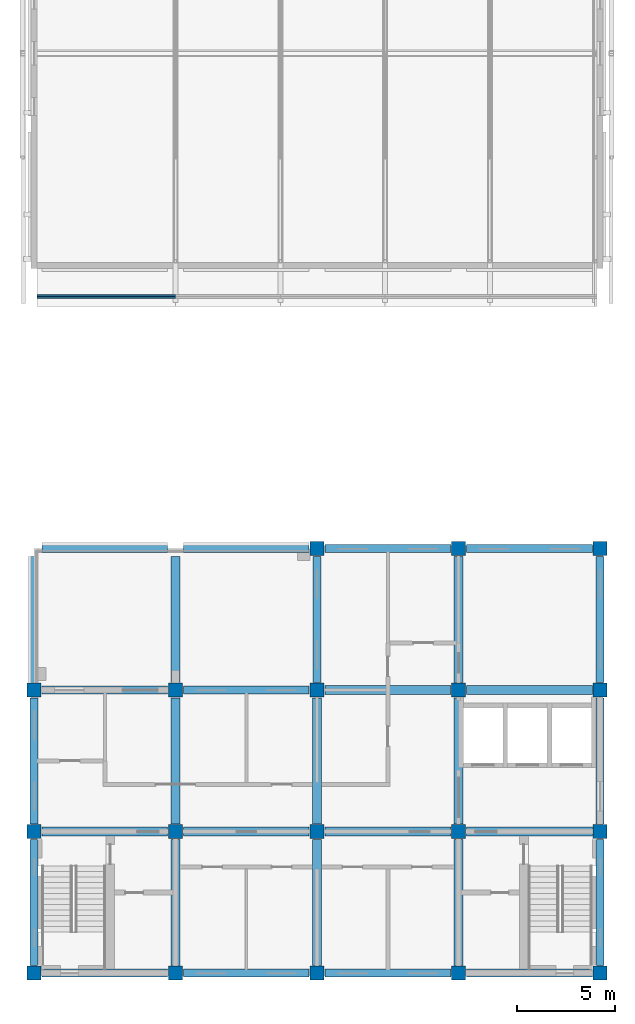
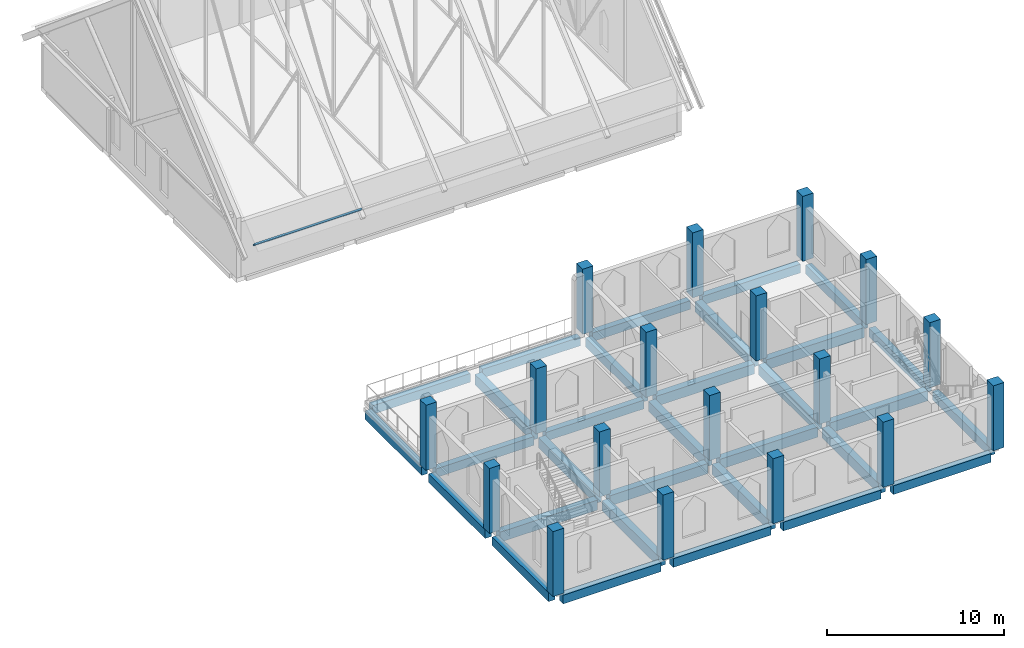
# One storey, part 1 of 29: 31 beams, 18 columns, 1 member.
"""IFC4 building model written with IfcOpenShell, lengths in metres."""

from ifc_helpers import new_model, si_unit, direction, frame, origin, origin_2d, place, context, subcontext, project, spatial, rectangle, i_section, extrude, material, material_profile, profile_set, type_object, element, save


model = new_model("IFC4")

# Units and contexts
model_context = context("Model", 3, precision=1e-05, world=origin(), true_north=direction((0.0, 1.0)))
body_context = subcontext(model_context, "Body", "Model", "MODEL_VIEW")
ifc_project = project(units=[si_unit("LENGTHUNIT", "METRE"), si_unit("AREAUNIT", "SQUARE_METRE"), si_unit("VOLUMEUNIT", "CUBIC_METRE"), si_unit("PLANEANGLEUNIT", "RADIAN"), si_unit("MASSUNIT", "GRAM", prefix="KILO")], contexts=[model_context])

# Site, building, storey
site_placement = place(None, origin())
site = spatial("IfcSite", under=ifc_project, at=site_placement, CompositionType="ELEMENT")
building_placement = place(site_placement, origin())
building = spatial("IfcBuilding", under=site, at=building_placement, Name="Silangan Lancet Faculty of Sciences", CompositionType="ELEMENT")
storey_placement = place(building_placement, frame((0.0, 0.0, 54.300048828125)))
storey = spatial("IfcBuildingStorey", under=building, at=storey_placement, Name="L11", CompositionType="ELEMENT", Elevation=54.300048828125)

# Columns
ifc_material_1 = material(Name="Concrete C40/50", Category="concrete")
ifc_material_profile_1 = material_profile(ifc_material_1, rectangle(XDim=0.699951171875, YDim=0.699951171875, at=origin_2d()), Name="RC 700x700")
ifc_profile_set_1 = profile_set([ifc_material_profile_1], Name="Concrete C40/50")
column_type = type_object("IfcColumnType", Name="COLUMN RC 700x700", PredefinedType="COLUMN", material=ifc_profile_set_1)
for number, where, z_axis, x_axis, name in (
    (1, (0.0, 0.0, 0.0), (0.0, 0.0, 1.0), (1.0, 0.0, 0.0), "COL-L11-1A"),
    (2, (0.0, 7.199951171875, 0.0), (0.0, 0.0, 1.0), (1.0, 0.0, 0.0), "COL-L11-1B"),
    (3, (0.0, 14.39990234375, 0.0), (0.0, 0.0, 1.0), (1.0, 0.0, 0.0), "COL-L11-1C"),
    (4, (7.199951171875, 0.0, 0.0), (0.0, 0.0, 1.0), (1.0, 0.0, 0.0), "COL-L11-2A"),
    (5, (7.199951171875, 7.199951171875, 0.0), (0.0, 0.0, 1.0), (1.0, 0.0, 0.0), "COL-L11-2B"),
    (6, (7.199951171875, 14.39990234375, 0.0), (0.0, 0.0, 1.0), (1.0, 0.0, 0.0), "COL-L11-2C"),
    (7, (14.39990234375, 0.0, 0.0), (0.0, 0.0, 1.0), (1.0, 0.0, 0.0), "COL-L11-3A"),
    (8, (14.39990234375, 7.199951171875, 0.0), (0.0, 0.0, 1.0), (1.0, 0.0, 0.0), "COL-L11-3B"),
    (9, (14.39990234375, 14.39990234375, 0.0), (0.0, 0.0, 1.0), (1.0, 0.0, 0.0), "COL-L11-3C"),
    (10, (14.39990234375, 21.60009765625, 0.0), (0.0, 0.0, 1.0), (1.0, 0.0, 0.0), "COL-L11-3D"),
    (11, (21.60009765625, 0.0, 0.0), (0.0, 0.0, 1.0), (1.0, 0.0, 0.0), "COL-L11-4A"),
    (12, (21.60009765625, 7.199951171875, 0.0), (0.0, 0.0, 1.0), (1.0, 0.0, 0.0), "COL-L11-4B"),
    (13, (21.60009765625, 14.39990234375, 0.0), (0.0, 0.0, 1.0), (1.0, 0.0, 0.0), "COL-L11-4C"),
    (14, (21.60009765625, 21.60009765625, 0.0), (0.0, 0.0, 1.0), (1.0, 0.0, 0.0), "COL-L11-4D"),
    (15, (28.800048828125, 0.0, 0.0), (0.0, 0.0, 1.0), (1.0, 0.0, 0.0), "COL-L11-5A"),
    (16, (28.800048828125, 7.199951171875, 0.0), (0.0, 0.0, 1.0), (1.0, 0.0, 0.0), "COL-L11-5B"),
    (17, (28.800048828125, 14.39990234375, 0.0), (0.0, 0.0, 1.0), (1.0, 0.0, 0.0), "COL-L11-5C"),
    (18, (28.800048828125, 21.60009765625, 0.0), (0.0, 0.0, 1.0), (1.0, 0.0, 0.0), "COL-L11-5D"),
):
    element("IfcColumn", number, at=place(storey_placement, frame(where, z_axis=z_axis, x_axis=x_axis)), inside=storey, type_object=column_type, Name=name, PredefinedType="COLUMN", context=body_context, shape_type="SweptSolid", body=[
        extrude(rectangle(XDim=0.699951171875, YDim=0.699951171875, at=origin_2d()), origin(), (0.0, 0.0, 1.0), 4.5),
    ])

# Beams
ifc_material_2 = material(Name="Concrete C40/50", Category="concrete")
ifc_material_profile_2 = material_profile(ifc_material_2, rectangle(XDim=0.39990234375, YDim=0.60009765625, at=origin_2d()), Name="RC 400x600")
ifc_profile_set_2 = profile_set([ifc_material_profile_2], Name="Concrete C40/50")
beam_type_1 = type_object("IfcBeamType", Name="BEAM RC 400x600", PredefinedType="BEAM", material=ifc_profile_set_2)
beam_1_placement = place(storey_placement, frame((0.39990234375, 0.0, -0.550048828125), z_axis=(1.0, 0.0, 0.0), x_axis=(0.0, 1.0, 0.0)))
element("IfcBeam", 19, at=beam_1_placement, inside=storey, type_object=beam_type_1, Name="BM-L11-1A-2A", PredefinedType="BEAM", context=body_context, shape_type="SweptSolid", body=[
    extrude(rectangle(XDim=0.39990234375, YDim=0.60009765625, at=origin_2d()), origin(), (0.0, 0.0, 1.0), 6.400146484375),
])
for number, where, z_axis, x_axis, name in (
    (20, (7.60009765625, 0.0, -0.550048828125), (1.0, 0.0, 0.0), (0.0, 1.0, 0.0), "BM-L11-2A-3A"),
    (21, (14.800048828125, 0.0, -0.550048828125), (1.0, 0.0, 0.0), (0.0, 1.0, 0.0), "BM-L11-3A-4A"),
    (22, (22.0, 0.0, -0.550048828125), (1.0, 0.0, 0.0), (0.0, 1.0, 0.0), "BM-L11-4A-5A"),
):
    element("IfcBeam", number, at=place(storey_placement, frame(where, z_axis=z_axis, x_axis=x_axis)), inside=storey, type_object=beam_type_1, Name=name, PredefinedType="BEAM", context=body_context, shape_type="SweptSolid", body=[
        extrude(rectangle(XDim=0.39990234375, YDim=0.60009765625, at=origin_2d()), origin(), (0.0, 0.0, 1.0), 6.39990234375),
    ])
beam_2_placement = place(storey_placement, frame((0.39990234375, 14.39990234375, -0.550048828125), z_axis=(1.0, 0.0, 0.0), x_axis=(0.0, 1.0, 0.0)))
element("IfcBeam", 23, at=beam_2_placement, inside=storey, type_object=beam_type_1, Name="BM-L11-1C-2C", PredefinedType="BEAM", context=body_context, shape_type="SweptSolid", body=[
    extrude(rectangle(XDim=0.39990234375, YDim=0.60009765625, at=origin_2d()), origin(), (0.0, 0.0, 1.0), 6.400146484375),
])
for number, where, z_axis, x_axis, name in (
    (24, (7.60009765625, 14.39990234375, -0.550048828125), (1.0, 0.0, 0.0), (0.0, 1.0, 0.0), "BM-L11-2C-3C"),
    (25, (14.800048828125, 21.60009765625, -0.550048828125), (1.0, 0.0, 0.0), (0.0, 1.0, 0.0), "BM-L11-3D-4D"),
    (26, (22.0, 21.60009765625, -0.550048828125), (1.0, 0.0, 0.0), (0.0, 1.0, 0.0), "BM-L11-4D-5D"),
):
    element("IfcBeam", number, at=place(storey_placement, frame(where, z_axis=z_axis, x_axis=x_axis)), inside=storey, type_object=beam_type_1, Name=name, PredefinedType="BEAM", context=body_context, shape_type="SweptSolid", body=[
        extrude(rectangle(XDim=0.39990234375, YDim=0.60009765625, at=origin_2d()), origin(), (0.0, 0.0, 1.0), 6.39990234375),
    ])
beam_3_placement = place(storey_placement, frame((0.0, 0.39990234375, -0.550048828125), z_axis=(0.0, 1.0, 0.0), x_axis=(-1.0, 0.0, 0.0)))
element("IfcBeam", 27, at=beam_3_placement, inside=storey, type_object=beam_type_1, Name="BM-L11-1A-1B", PredefinedType="BEAM", context=body_context, shape_type="SweptSolid", body=[
    extrude(rectangle(XDim=0.39990234375, YDim=0.60009765625, at=origin_2d()), origin(), (0.0, 0.0, 1.0), 6.400146484375),
])
for number, where, z_axis, x_axis, name in (
    (28, (0.0, 7.60009765625, -0.550048828125), (0.0, 1.0, 0.0), (-1.0, 0.0, 0.0), "BM-L11-1B-1C"),
    (29, (14.39990234375, 14.800048828125, -0.550048828125), (0.0, 1.0, 0.0), (-1.0, 0.0, 0.0), "BM-L11-3C-3D"),
):
    element("IfcBeam", number, at=place(storey_placement, frame(where, z_axis=z_axis, x_axis=x_axis)), inside=storey, type_object=beam_type_1, Name=name, PredefinedType="BEAM", context=body_context, shape_type="SweptSolid", body=[
        extrude(rectangle(XDim=0.39990234375, YDim=0.60009765625, at=origin_2d()), origin(), (0.0, 0.0, 1.0), 6.39990234375),
    ])
beam_4_placement = place(storey_placement, frame((28.800048828125, 0.39990234375, -0.550048828125), z_axis=(0.0, 1.0, 0.0), x_axis=(-1.0, 0.0, 0.0)))
element("IfcBeam", 30, at=beam_4_placement, inside=storey, type_object=beam_type_1, Name="BM-L11-5A-5B", PredefinedType="BEAM", context=body_context, shape_type="SweptSolid", body=[
    extrude(rectangle(XDim=0.39990234375, YDim=0.60009765625, at=origin_2d()), origin(), (0.0, 0.0, 1.0), 6.400146484375),
])
for number, where, z_axis, x_axis, name in (
    (31, (28.800048828125, 7.60009765625, -0.550048828125), (0.0, 1.0, 0.0), (-1.0, 0.0, 0.0), "BM-L11-5B-5C"),
    (32, (28.800048828125, 14.800048828125, -0.550048828125), (0.0, 1.0, 0.0), (-1.0, 0.0, 0.0), "BM-L11-5C-5D"),
):
    element("IfcBeam", number, at=place(storey_placement, frame(where, z_axis=z_axis, x_axis=x_axis)), inside=storey, type_object=beam_type_1, Name=name, PredefinedType="BEAM", context=body_context, shape_type="SweptSolid", body=[
        extrude(rectangle(XDim=0.39990234375, YDim=0.60009765625, at=origin_2d()), origin(), (0.0, 0.0, 1.0), 6.39990234375),
    ])
beam_5_placement = place(storey_placement, frame((0.39990234375, 21.60009765625, -0.550048828125), z_axis=(1.0, 0.0, 0.0), x_axis=(0.0, 1.0, 0.0)))
element("IfcBeam", 33, at=beam_5_placement, inside=storey, type_object=beam_type_1, Name="BM-ST-T1-L11-1D-2D", PredefinedType="BEAM", context=body_context, shape_type="SweptSolid", body=[
    extrude(rectangle(XDim=0.39990234375, YDim=0.60009765625, at=origin_2d()), origin(), (0.0, 0.0, 1.0), 6.400146484375),
])
for number, where, z_axis, x_axis, name in (
    (34, (7.60009765625, 21.60009765625, -0.550048828125), (1.0, 0.0, 0.0), (0.0, 1.0, 0.0), "BM-ST-T1-L11-2D-3D"),
    (35, (0.0, 14.800048828125, -0.550048828125), (0.0, 1.0, 0.0), (-1.0, 0.0, 0.0), "BM-ST-T1-L11-1C-1D"),
):
    element("IfcBeam", number, at=place(storey_placement, frame(where, z_axis=z_axis, x_axis=x_axis)), inside=storey, type_object=beam_type_1, Name=name, PredefinedType="BEAM", context=body_context, shape_type="SweptSolid", body=[
        extrude(rectangle(XDim=0.39990234375, YDim=0.60009765625, at=origin_2d()), origin(), (0.0, 0.0, 1.0), 6.39990234375),
    ])
ifc_material_3 = material(Name="Concrete C40/50", Category="concrete")
ifc_material_profile_3 = material_profile(ifc_material_3, rectangle(XDim=0.449951171875, YDim=0.699951171875, at=origin_2d()), Name="RC 450x700")
ifc_profile_set_3 = profile_set([ifc_material_profile_3], Name="Concrete C40/50")
beam_type_2 = type_object("IfcBeamType", Name="BEAM RC 450x700", PredefinedType="BEAM", material=ifc_profile_set_3)
beam_6_placement = place(storey_placement, frame((0.39990234375, 7.199951171875, -0.60009765625), z_axis=(1.0, 0.0, 0.0), x_axis=(0.0, 1.0, 0.0)))
element("IfcBeam", 36, at=beam_6_placement, inside=storey, type_object=beam_type_2, Name="BM-L11-1B-2B", PredefinedType="BEAM", context=body_context, shape_type="SweptSolid", body=[
    extrude(rectangle(XDim=0.449951171875, YDim=0.699951171875, at=origin_2d()), origin(), (0.0, 0.0, 1.0), 6.400146484375),
])
for number, where, z_axis, x_axis, name in (
    (37, (7.60009765625, 7.199951171875, -0.60009765625), (1.0, 0.0, 0.0), (0.0, 1.0, 0.0), "BM-L11-2B-3B"),
    (38, (14.800048828125, 7.199951171875, -0.60009765625), (1.0, 0.0, 0.0), (0.0, 1.0, 0.0), "BM-L11-3B-4B"),
    (39, (22.0, 7.199951171875, -0.60009765625), (1.0, 0.0, 0.0), (0.0, 1.0, 0.0), "BM-L11-4B-5B"),
    (40, (14.800048828125, 14.39990234375, -0.60009765625), (1.0, 0.0, 0.0), (0.0, 1.0, 0.0), "BM-L11-3C-4C"),
    (41, (22.0, 14.39990234375, -0.60009765625), (1.0, 0.0, 0.0), (0.0, 1.0, 0.0), "BM-L11-4C-5C"),
):
    element("IfcBeam", number, at=place(storey_placement, frame(where, z_axis=z_axis, x_axis=x_axis)), inside=storey, type_object=beam_type_2, Name=name, PredefinedType="BEAM", context=body_context, shape_type="SweptSolid", body=[
        extrude(rectangle(XDim=0.449951171875, YDim=0.699951171875, at=origin_2d()), origin(), (0.0, 0.0, 1.0), 6.39990234375),
    ])
beam_7_placement = place(storey_placement, frame((7.199951171875, 0.39990234375, -0.60009765625), z_axis=(0.0, 1.0, 0.0), x_axis=(-1.0, 0.0, 0.0)))
element("IfcBeam", 42, at=beam_7_placement, inside=storey, type_object=beam_type_2, Name="BM-L11-2A-2B", PredefinedType="BEAM", context=body_context, shape_type="SweptSolid", body=[
    extrude(rectangle(XDim=0.449951171875, YDim=0.699951171875, at=origin_2d()), origin(), (0.0, 0.0, 1.0), 6.400146484375),
])
beam_8_placement = place(storey_placement, frame((7.199951171875, 7.60009765625, -0.60009765625), z_axis=(0.0, 1.0, 0.0), x_axis=(-1.0, 0.0, 0.0)))
element("IfcBeam", 43, at=beam_8_placement, inside=storey, type_object=beam_type_2, Name="BM-L11-2B-2C", PredefinedType="BEAM", context=body_context, shape_type="SweptSolid", body=[
    extrude(rectangle(XDim=0.449951171875, YDim=0.699951171875, at=origin_2d()), origin(), (0.0, 0.0, 1.0), 6.39990234375),
])
beam_9_placement = place(storey_placement, frame((14.39990234375, 0.39990234375, -0.60009765625), z_axis=(0.0, 1.0, 0.0), x_axis=(-1.0, 0.0, 0.0)))
element("IfcBeam", 44, at=beam_9_placement, inside=storey, type_object=beam_type_2, Name="BM-L11-3A-3B", PredefinedType="BEAM", context=body_context, shape_type="SweptSolid", body=[
    extrude(rectangle(XDim=0.449951171875, YDim=0.699951171875, at=origin_2d()), origin(), (0.0, 0.0, 1.0), 6.400146484375),
])
beam_10_placement = place(storey_placement, frame((14.39990234375, 7.60009765625, -0.60009765625), z_axis=(0.0, 1.0, 0.0), x_axis=(-1.0, 0.0, 0.0)))
element("IfcBeam", 45, at=beam_10_placement, inside=storey, type_object=beam_type_2, Name="BM-L11-3B-3C", PredefinedType="BEAM", context=body_context, shape_type="SweptSolid", body=[
    extrude(rectangle(XDim=0.449951171875, YDim=0.699951171875, at=origin_2d()), origin(), (0.0, 0.0, 1.0), 6.39990234375),
])
beam_11_placement = place(storey_placement, frame((21.60009765625, 0.39990234375, -0.60009765625), z_axis=(0.0, 1.0, 0.0), x_axis=(-1.0, 0.0, 0.0)))
element("IfcBeam", 46, at=beam_11_placement, inside=storey, type_object=beam_type_2, Name="BM-L11-4A-4B", PredefinedType="BEAM", context=body_context, shape_type="SweptSolid", body=[
    extrude(rectangle(XDim=0.449951171875, YDim=0.699951171875, at=origin_2d()), origin(), (0.0, 0.0, 1.0), 6.400146484375),
])
for number, where, z_axis, x_axis, name in (
    (47, (21.60009765625, 7.60009765625, -0.60009765625), (0.0, 1.0, 0.0), (-1.0, 0.0, 0.0), "BM-L11-4B-4C"),
    (48, (21.60009765625, 14.800048828125, -0.60009765625), (0.0, 1.0, 0.0), (-1.0, 0.0, 0.0), "BM-L11-4C-4D"),
    (49, (7.199951171875, 14.800048828125, -0.60009765625), (0.0, 1.0, 0.0), (-1.0, 0.0, 0.0), "BM-ST-T1-L11-2C-2D"),
):
    element("IfcBeam", number, at=place(storey_placement, frame(where, z_axis=z_axis, x_axis=x_axis)), inside=storey, type_object=beam_type_2, Name=name, PredefinedType="BEAM", context=body_context, shape_type="SweptSolid", body=[
        extrude(rectangle(XDim=0.449951171875, YDim=0.699951171875, at=origin_2d()), origin(), (0.0, 0.0, 1.0), 6.39990234375),
    ])

# Member
ifc_material_4 = material(Name="Steel SS400", Category="steel")
ifc_material_profile_4 = material_profile(ifc_material_4, i_section(OverallWidth=0.10009765625, OverallDepth=0.199951171875, WebThickness=0.005615234375, FlangeThickness=0.008056640625, FilletRadius=0.008056640625, at=origin_2d()), Name="H 200x100x5.5x8")
ifc_profile_set_4 = profile_set([ifc_material_profile_4], Name="Steel SS400")
member_type = type_object("IfcMemberType", Name="Sheeting purlin H 200x100x5.5x8", PredefinedType="PURLIN", material=ifc_profile_set_4)
member_placement = place(storey_placement, frame((0.14990234375, 34.43798828125, 3.071044921875), z_axis=(1.0, 0.0, 0.0), x_axis=(0.0, 0.765704867842, 0.64319208279)))
element("IfcMember", 50, at=member_placement, inside=storey, type_object=member_type, Name="Gable purlin 1S1", PredefinedType="PURLIN", context=body_context, shape_type="SweptSolid", body=[
    extrude(i_section(OverallWidth=0.10009765625, OverallDepth=0.199951171875, WebThickness=0.005615234375, FlangeThickness=0.008056640625, FilletRadius=0.008056640625, at=origin_2d()), origin(), (0.0, 0.0, 1.0), 7.050048828125),
])

save(model, "model.ifc")
